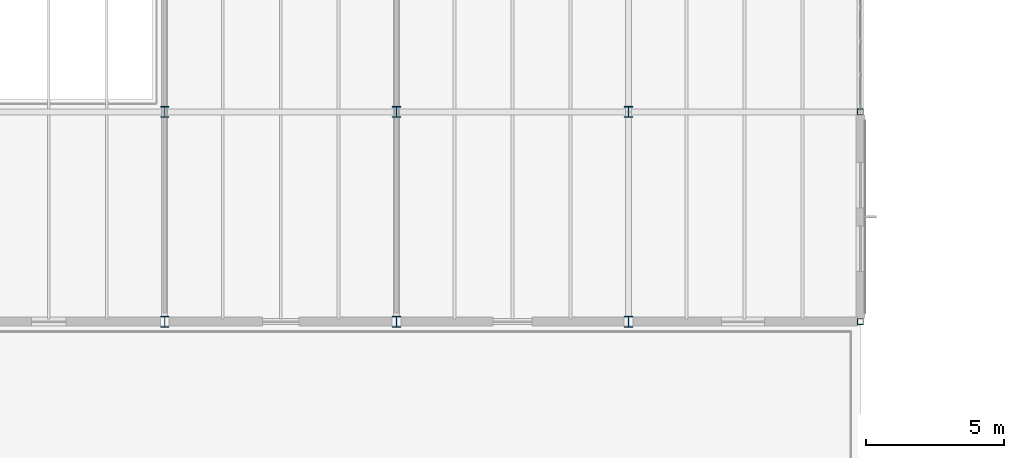
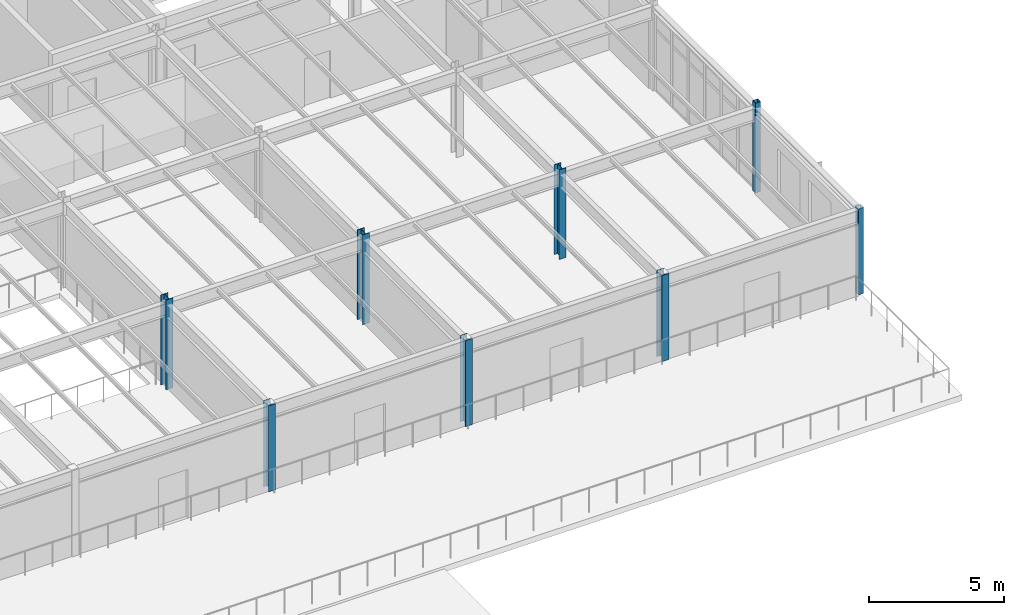
# One storey, part 10 of 114: 8 columns.
"""IFC4 building model written with IfcOpenShell, lengths in metres."""

from ifc_helpers import new_model, si_unit, direction, frame, origin, origin_2d, place, context, subcontext, project, spatial, hollow_rectangle, i_section, extrude, material, material_profile, profile_set, type_object, element, save


model = new_model("IFC4")

# Units and contexts
model_context = context("Model", 3, precision=1e-05, world=origin(), true_north=direction((0.0, 1.0)))
body_context = subcontext(model_context, "Body", "Model", "MODEL_VIEW")
ifc_project = project(units=[si_unit("LENGTHUNIT", "METRE"), si_unit("AREAUNIT", "SQUARE_METRE"), si_unit("VOLUMEUNIT", "CUBIC_METRE"), si_unit("PLANEANGLEUNIT", "RADIAN"), si_unit("MASSUNIT", "GRAM", prefix="KILO")], contexts=[model_context])

# Site, building, storey
site_placement = place(None, origin())
site = spatial("IfcSite", under=ifc_project, at=site_placement, CompositionType="ELEMENT")
building_placement = place(site_placement, origin())
building = spatial("IfcBuilding", under=site, at=building_placement, Name="Montecoro Central Library", CompositionType="ELEMENT")
storey_placement = place(building_placement, frame((0.0, 0.0, 13.260009765625)))
storey = spatial("IfcBuildingStorey", under=building, at=storey_placement, Name="L03", CompositionType="ELEMENT", Elevation=13.260009765625)

# Columns
ifc_material = material(Name="Steel S355", Category="steel")
ifc_material_profile_1 = material_profile(ifc_material, i_section(OverallWidth=0.300048828125, OverallDepth=0.39990234375, WebThickness=0.013427734375, FlangeThickness=0.02392578125, at=origin_2d()), Name="HEB 400")
ifc_profile_set_1 = profile_set([ifc_material_profile_1], Name="Steel S355")
column_type_1 = type_object("IfcColumnType", Name="COL-HEB400", PredefinedType="COLUMN", material=ifc_profile_set_1)
column_1_placement = place(storey_placement, frame((91.60009765625, 88.60009765625, 0.0), z_axis=(0.0, 0.0, 1.0), x_axis=(1.0, 0.0, 0.0)))
element("IfcColumn", 1, at=column_1_placement, inside=storey, type_object=column_type_1, Name="V2-L03-COL-12-M", PredefinedType="COLUMN", context=body_context, shape_type="SweptSolid", body=[
    extrude(i_section(OverallWidth=0.300048828125, OverallDepth=0.39990234375, WebThickness=0.013427734375, FlangeThickness=0.02392578125, at=origin_2d()), origin(), (0.0, 0.0, 1.0), 3.885009765625),
])
column_2_placement = place(storey_placement, frame((91.60009765625, 96.199951171875, 0.0), z_axis=(0.0, 0.0, 1.0), x_axis=(1.0, 0.0, 0.0)))
element("IfcColumn", 2, at=column_2_placement, inside=storey, type_object=column_type_1, Name="V2-L03-COL-12-N", PredefinedType="COLUMN", context=body_context, shape_type="SweptSolid", body=[
    extrude(i_section(OverallWidth=0.300048828125, OverallDepth=0.39990234375, WebThickness=0.013427734375, FlangeThickness=0.02392578125, at=origin_2d()), origin(), (0.0, 0.0, 1.0), 4.054931640625),
])
column_3_placement = place(storey_placement, frame((100.0, 88.60009765625, 0.0), z_axis=(0.0, 0.0, 1.0), x_axis=(1.0, 0.0, 0.0)))
element("IfcColumn", 3, at=column_3_placement, inside=storey, type_object=column_type_1, Name="V2-L03-COL-13-M", PredefinedType="COLUMN", context=body_context, shape_type="SweptSolid", body=[
    extrude(i_section(OverallWidth=0.300048828125, OverallDepth=0.39990234375, WebThickness=0.013427734375, FlangeThickness=0.02392578125, at=origin_2d()), origin(), (0.0, 0.0, 1.0), 3.885009765625),
])
column_4_placement = place(storey_placement, frame((100.0, 96.199951171875, 0.0), z_axis=(0.0, 0.0, 1.0), x_axis=(1.0, 0.0, 0.0)))
element("IfcColumn", 4, at=column_4_placement, inside=storey, type_object=column_type_1, Name="V2-L03-COL-13-N", PredefinedType="COLUMN", context=body_context, shape_type="SweptSolid", body=[
    extrude(i_section(OverallWidth=0.300048828125, OverallDepth=0.39990234375, WebThickness=0.013427734375, FlangeThickness=0.02392578125, at=origin_2d()), origin(), (0.0, 0.0, 1.0), 4.054931640625),
])
column_5_placement = place(storey_placement, frame((108.39990234375, 88.60009765625, 0.0), z_axis=(0.0, 0.0, 1.0), x_axis=(1.0, 0.0, 0.0)))
element("IfcColumn", 5, at=column_5_placement, inside=storey, type_object=column_type_1, Name="V2-L03-COL-14-M", PredefinedType="COLUMN", context=body_context, shape_type="SweptSolid", body=[
    extrude(i_section(OverallWidth=0.300048828125, OverallDepth=0.39990234375, WebThickness=0.013427734375, FlangeThickness=0.02392578125, at=origin_2d()), origin(), (0.0, 0.0, 1.0), 3.885009765625),
])
column_6_placement = place(storey_placement, frame((108.39990234375, 96.199951171875, 0.0), z_axis=(0.0, 0.0, 1.0), x_axis=(1.0, 0.0, 0.0)))
element("IfcColumn", 6, at=column_6_placement, inside=storey, type_object=column_type_1, Name="V2-L03-COL-14-N", PredefinedType="COLUMN", context=body_context, shape_type="SweptSolid", body=[
    extrude(i_section(OverallWidth=0.300048828125, OverallDepth=0.39990234375, WebThickness=0.013427734375, FlangeThickness=0.02392578125, at=origin_2d()), origin(), (0.0, 0.0, 1.0), 4.054931640625),
])
ifc_material_profile_2 = material_profile(ifc_material, hollow_rectangle(XDim=0.219970703125, YDim=0.219970703125, WallThickness=0.010009765625, at=origin_2d()), Name="SHS 220x220x10.0")
ifc_profile_set_2 = profile_set([ifc_material_profile_2], Name="Steel S355")
column_type_2 = type_object("IfcColumnType", Name="COL-SHS220", PredefinedType="COLUMN", material=ifc_profile_set_2)
column_7_placement = place(storey_placement, frame((116.800048828125, 88.60009765625, 0.0), z_axis=(0.0, 0.0, 1.0), x_axis=(1.0, 0.0, 0.0)))
element("IfcColumn", 7, at=column_7_placement, inside=storey, type_object=column_type_2, Name="V2-L03-COL-15-M", PredefinedType="COLUMN", context=body_context, shape_type="SweptSolid", body=[
    extrude(hollow_rectangle(XDim=0.219970703125, YDim=0.219970703125, WallThickness=0.010009765625, at=origin_2d()), origin(), (0.0, 0.0, 1.0), 3.885009765625),
])
column_8_placement = place(storey_placement, frame((116.800048828125, 96.199951171875, 0.0), z_axis=(0.0, 0.0, 1.0), x_axis=(1.0, 0.0, 0.0)))
element("IfcColumn", 8, at=column_8_placement, inside=storey, type_object=column_type_2, Name="V2-L03-COL-15-N", PredefinedType="COLUMN", context=body_context, shape_type="SweptSolid", body=[
    extrude(hollow_rectangle(XDim=0.219970703125, YDim=0.219970703125, WallThickness=0.010009765625, at=origin_2d()), origin(), (0.0, 0.0, 1.0), 4.054931640625),
])

save(model, "model.ifc")
